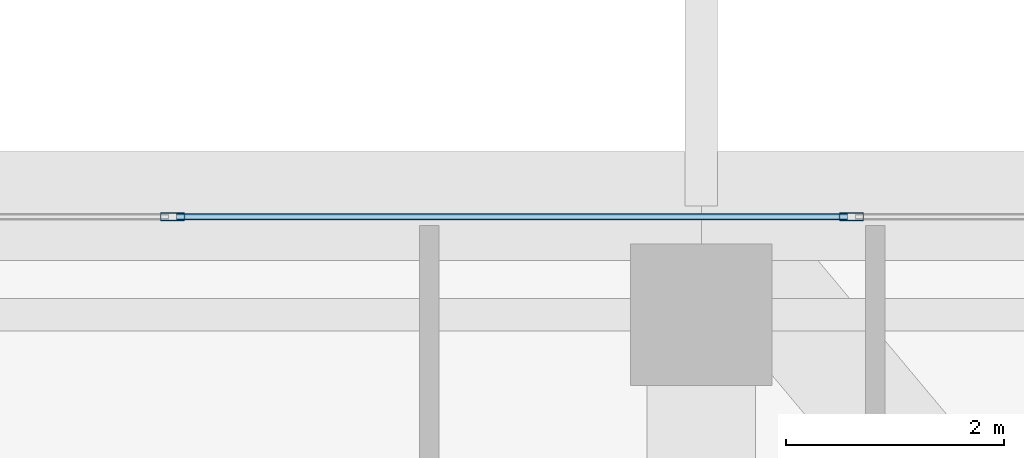
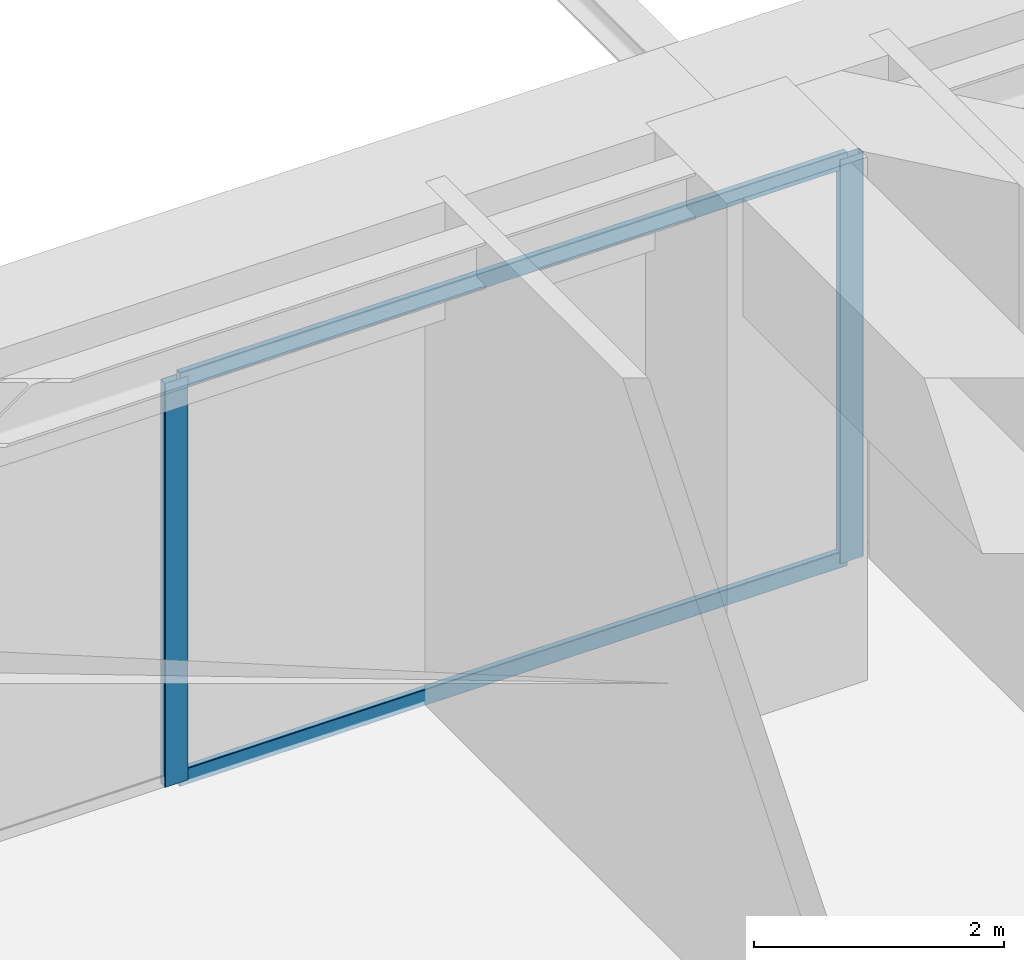
# One storey, part 22 of 38: 4 members, 1 element without a shape of its own.
"""IFC4 building model written with IfcOpenShell, lengths in metres."""

from ifc_helpers import new_model, si_unit, direction, frame, origin, origin_2d, place, context, subcontext, project, spatial, hollow_rectangle, extrude, source, transform, mapped, material, layer, layer_set, material_profile, profile_set, type_object, element, aggregate, save


model = new_model("IFC4")

# Units and contexts
model_context = context("Model", 3, precision=1e-05, world=origin(), true_north=direction((0.0, 1.0)))
body_context = subcontext(model_context, "Body", "Model", "MODEL_VIEW")
ifc_project = project(units=[si_unit("LENGTHUNIT", "METRE"), si_unit("AREAUNIT", "SQUARE_METRE"), si_unit("VOLUMEUNIT", "CUBIC_METRE"), si_unit("PLANEANGLEUNIT", "RADIAN"), si_unit("MASSUNIT", "GRAM", prefix="KILO")], contexts=[model_context])

# Site, building, storey
site_placement = place(None, origin())
site = spatial("IfcSite", under=ifc_project, at=site_placement, CompositionType="ELEMENT")
building_placement = place(site_placement, origin())
building = spatial("IfcBuilding", under=site, at=building_placement, Name="Serunith Strait Residences", CompositionType="ELEMENT")
storey_placement = place(building_placement, frame((0.0, 0.0, 204.89990234375)))
storey = spatial("IfcBuildingStorey", under=building, at=storey_placement, Name="L51", CompositionType="ELEMENT", Elevation=204.89990234375)

# Curtain wall, members
ifc_material = material(Name="Pale-Silver PVDF Aluminium", Category="aluminium")
ifc_layer = layer(ifc_material, 0.199951171875, Name="Pale-Silver PVDF Aluminium")
ifc_layer_set = layer_set([ifc_layer], Name="Pale-Silver PVDF Aluminium")
curtain_wall_type = type_object("IfcCurtainWallType", Name="CW-SYS3", PredefinedType="NOTDEFINED", material=ifc_layer_set)
curtain_wall_placement = place(storey_placement, origin())
curtain_wall = element("IfcCurtainWall", 1, at=curtain_wall_placement, inside=storey, type_object=curtain_wall_type, Name="L51 N Unitised Fritted Curtain Wall", PredefinedType="NOTDEFINED")
ifc_material_profile_1 = material_profile(ifc_material, hollow_rectangle(XDim=0.074951171875, YDim=0.219970703125, WallThickness=0.00390625, InnerFilletRadius=0.006103515625, OuterFilletRadius=0.010009765625, at=origin_2d()), Name="ALU 220x75x4")
ifc_profile_set_1 = profile_set([ifc_material_profile_1], Name="Pale-Silver PVDF Aluminium")
member_type_1 = type_object("IfcMemberType", Name="CW-SYS3-MULL", PredefinedType="MULLION", material=ifc_profile_set_1)
shared_shape_1 = source(origin(), body_context, "Body", "SweptSolid", [
    extrude(hollow_rectangle(XDim=0.074951171875, YDim=0.219970703125, WallThickness=0.00390625, InnerFilletRadius=0.006103515625, OuterFilletRadius=0.010009765625, at=origin_2d()), origin(), (0.0, 0.0, 1.0), 3.945068359375),
])
member_1_placement = place(storey_placement, frame((29.280029296875, 48.199951171875, 0.0), z_axis=(0.0, 0.0, 1.0), x_axis=(0.0, -1.0, 0.0)))
member_1 = element("IfcMember", 2, at=member_1_placement, type_object=member_type_1, Name="CW-3 mullion 4", PredefinedType="MULLION", context=body_context, shape_type="MappedRepresentation", body=[
    mapped(shared_shape_1, transform((0.0, 0.0, 0.0), scale=1.0)),
])
member_2_placement = place(storey_placement, frame((23.0400390625, 48.199951171875, 0.0), z_axis=(0.0, 0.0, 1.0), x_axis=(0.0, -1.0, 0.0)))
member_2 = element("IfcMember", 3, at=member_2_placement, type_object=member_type_1, Name="CW-3 mullion 5", PredefinedType="MULLION", context=body_context, shape_type="MappedRepresentation", body=[
    mapped(shared_shape_1, transform((0.0, 0.0, 0.0), scale=1.0)),
])
ifc_material_profile_2 = material_profile(ifc_material, hollow_rectangle(XDim=0.06005859375, YDim=0.159912109375, WallThickness=0.00341796875, InnerFilletRadius=0.00537109375, OuterFilletRadius=0.0087890625, at=origin_2d()), Name="ALU 160x60x3.5")
ifc_profile_set_2 = profile_set([ifc_material_profile_2], Name="Pale-Silver PVDF Aluminium")
member_type_2 = type_object("IfcMemberType", Name="CW-SYS3-TRAN", PredefinedType="USERDEFINED", material=ifc_profile_set_2)
shared_shape_2 = source(origin(), body_context, "Body", "SweptSolid", [
    extrude(hollow_rectangle(XDim=0.06005859375, YDim=0.159912109375, WallThickness=0.00341796875, InnerFilletRadius=0.00537109375, OuterFilletRadius=0.0087890625, at=origin_2d()), origin(), (0.0, 0.0, 1.0), 6.1650390625),
])
member_3_placement = place(storey_placement, frame((29.242431640625, 48.199951171875, 0.030029296875), z_axis=(-1.0, 0.0, 0.0), x_axis=(0.0, -1.0, 0.0)))
member_3 = element("IfcMember", 4, at=member_3_placement, type_object=member_type_2, Name="CW-3 transom 4.1", ObjectType="TRANSOM", PredefinedType="USERDEFINED", context=body_context, shape_type="MappedRepresentation", body=[
    mapped(shared_shape_2, transform((0.0, 0.0, 0.0), scale=1.0)),
])
member_4_placement = place(storey_placement, frame((29.242431640625, 48.199951171875, 3.9150390625), z_axis=(-1.0, 0.0, 0.0), x_axis=(0.0, -1.0, 0.0)))
member_4 = element("IfcMember", 5, at=member_4_placement, type_object=member_type_2, Name="CW-3 transom 4.2", ObjectType="TRANSOM", PredefinedType="USERDEFINED", context=body_context, shape_type="MappedRepresentation", body=[
    mapped(shared_shape_2, transform((0.0, 0.0, 0.0), scale=1.0)),
])
aggregate(curtain_wall, [member_1, member_2, member_3, member_4])

save(model, "model.ifc")
